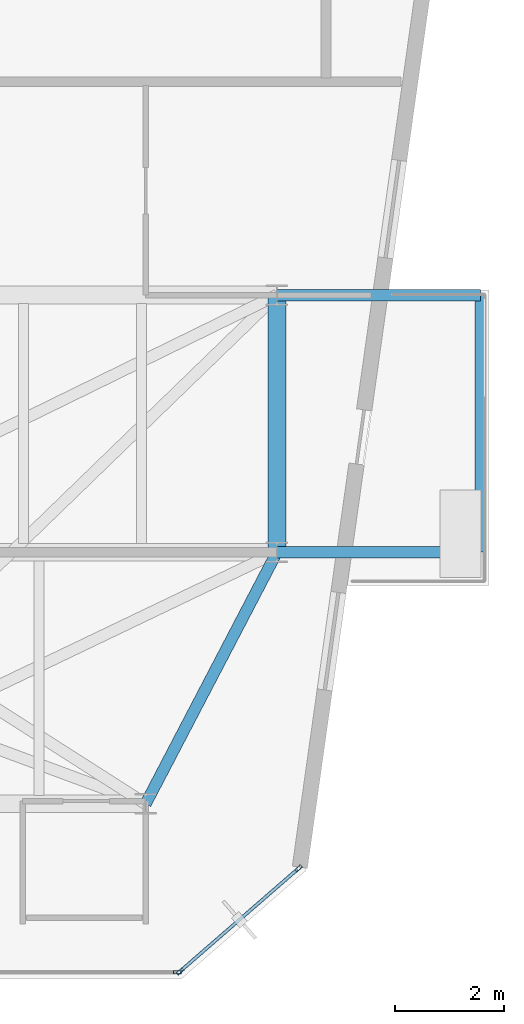
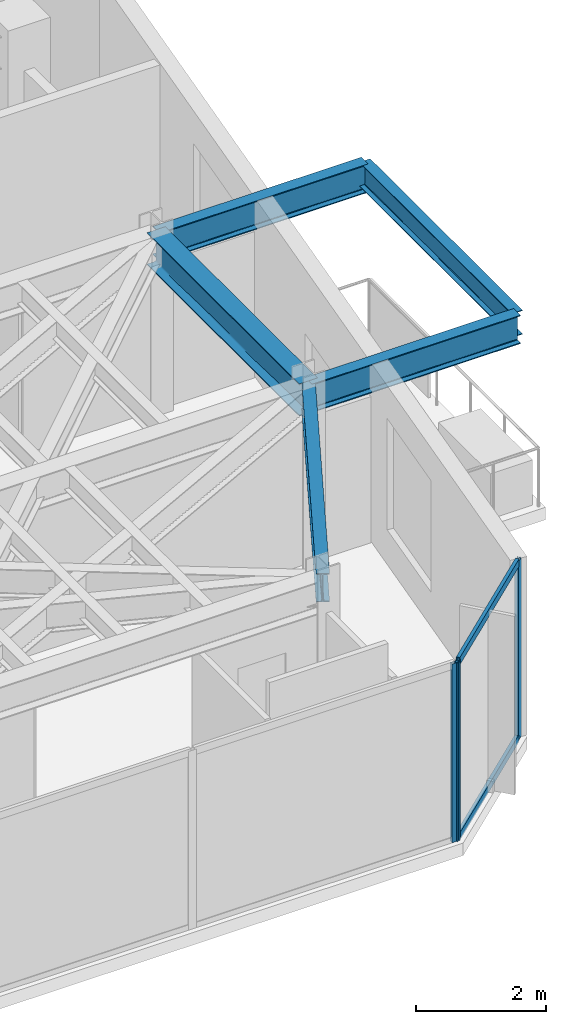
# One storey, part 12 of 17: 5 beams, 5 members, 2 elements without a shape of their own.
"""IFC4 building model written with IfcOpenShell, lengths in metres."""

from ifc_helpers import new_model, si_unit, direction, frame, origin, origin_2d, place, context, subcontext, project, spatial, hollow_rectangle, i_section, extrude, material, layer, layer_set, material_profile, profile_set, type_object, element, aggregate, save


model = new_model("IFC4")

# Units and contexts
model_context = context("Model", 3, precision=1e-05, world=origin(), true_north=direction((0.0, 1.0)))
body_context = subcontext(model_context, "Body", "Model", "MODEL_VIEW")
ifc_project = project(units=[si_unit("LENGTHUNIT", "METRE"), si_unit("AREAUNIT", "SQUARE_METRE"), si_unit("VOLUMEUNIT", "CUBIC_METRE"), si_unit("PLANEANGLEUNIT", "RADIAN"), si_unit("MASSUNIT", "GRAM", prefix="KILO")], contexts=[model_context])

# Site, building, storey
site_placement = place(None, origin())
site = spatial("IfcSite", under=ifc_project, at=site_placement, CompositionType="ELEMENT")
building_placement = place(site_placement, origin())
building = spatial("IfcBuilding", under=site, at=building_placement, Name="Kravanh Interchange Tower", CompositionType="ELEMENT")
storey_placement = place(building_placement, frame((0.0, 0.0, 289.5)))
storey = spatial("IfcBuildingStorey", under=building, at=storey_placement, Name="L71", CompositionType="ELEMENT", Elevation=289.5)

# Curtain wall, members
ifc_material_1 = material(Name="Anodised Bronze Aluminium", Category="aluminium")
ifc_layer = layer(ifc_material_1, 0.179931640625)
ifc_layer_set = layer_set([ifc_layer], Name="Unitised Curtain Wall System CW-HTL Luxury Hotel")
curtain_wall_type = type_object("IfcCurtainWallType", Name="Unitised Curtain Wall System CW-HTL Luxury Hotel", PredefinedType="NOTDEFINED", material=ifc_layer_set)
curtain_wall_1_placement = place(storey_placement, origin())
curtain_wall_1 = element("IfcCurtainWall", 1, at=curtain_wall_1_placement, inside=storey, type_object=curtain_wall_type, Name="L71 Unitised Curtain Wall CW-L71-02", PredefinedType="NOTDEFINED")
ifc_material_2 = material(Name="Anodised Bronze Aluminium", Category="aluminium")
ifc_material_profile_1 = material_profile(ifc_material_2, hollow_rectangle(XDim=0.06005859375, YDim=0.139892578125, WallThickness=0.00390625, at=origin_2d()), Name="ALU60X140X4")
ifc_profile_set_1 = profile_set([ifc_material_profile_1], Name="Anodised Bronze Aluminium")
member_type_1 = type_object("IfcMemberType", Name="Curtain Wall Mullion ALU60X140X4 Bronze", PredefinedType="MULLION", material=ifc_profile_set_1)
member_1_placement = place(storey_placement, frame((65.9970703125, 21.02197265625, 0.0), z_axis=(0.0, 0.0, 1.0), x_axis=(0.656033323139, -0.75473192521, 0.0)))
member_1 = element("IfcMember", 2, at=member_1_placement, type_object=member_type_1, Name="CW-HTL mullion 1", PredefinedType="MULLION", context=body_context, shape_type="SweptSolid", body=[
    extrude(hollow_rectangle(XDim=0.06005859375, YDim=0.139892578125, WallThickness=0.00390625, at=origin_2d()), origin(), (0.0, 0.0, 1.0), 3.364990234375),
])
member_2_placement = place(storey_placement, frame((63.831787109375, 19.1396484375, 0.0), z_axis=(0.0, 0.0, 1.0), x_axis=(0.656033323139, -0.75473192521, 0.0)))
member_2 = element("IfcMember", 3, at=member_2_placement, type_object=member_type_1, Name="CW-HTL mullion 2", PredefinedType="MULLION", context=body_context, shape_type="SweptSolid", body=[
    extrude(hollow_rectangle(XDim=0.06005859375, YDim=0.139892578125, WallThickness=0.00390625, at=origin_2d()), origin(), (0.0, 0.0, 1.0), 3.364990234375),
])

# Curtain wall, member
curtain_wall_2_placement = place(storey_placement, origin())
curtain_wall_2 = element("IfcCurtainWall", 4, at=curtain_wall_2_placement, inside=storey, type_object=curtain_wall_type, Name="L71 Unitised Curtain Wall CW-L71-03", PredefinedType="NOTDEFINED")
member_3_placement = place(storey_placement, frame((63.779052734375, 19.1201171875, 0.0), z_axis=(0.0, 0.0, 1.0), x_axis=(0.0, -1.0, 0.0)))
member_3 = element("IfcMember", 5, at=member_3_placement, type_object=member_type_1, Name="CW-HTL mullion 1", PredefinedType="MULLION", context=body_context, shape_type="SweptSolid", body=[
    extrude(hollow_rectangle(XDim=0.06005859375, YDim=0.139892578125, WallThickness=0.00390625, at=origin_2d()), origin(), (0.0, 0.0, 1.0), 3.364990234375),
])
aggregate(curtain_wall_2, [member_3])

# Member
ifc_material_3 = material(Name="Anodised Bronze Aluminium", Category="aluminium")
ifc_material_profile_2 = material_profile(ifc_material_3, hollow_rectangle(XDim=0.06005859375, YDim=0.139892578125, WallThickness=0.00390625, at=origin_2d()), Name="ALU60X140X4")
ifc_profile_set_2 = profile_set([ifc_material_profile_2], Name="Anodised Bronze Aluminium")
member_type_2 = type_object("IfcMemberType", Name="Curtain Wall Transom ALU60X140X4 Bronze", PredefinedType="USERDEFINED", material=ifc_profile_set_2)
member_4_placement = place(storey_placement, frame((65.974609375, 21.002197265625, 0.030029296875), z_axis=(-0.754747707805, -0.656015165651, 0.0), x_axis=(0.656015165651, -0.754747707805, 0.0)))
member_4 = element("IfcMember", 6, at=member_4_placement, type_object=member_type_2, Name="CW-HTL transom 1.1", ObjectType="TRANSOM", PredefinedType="USERDEFINED", context=body_context, shape_type="SweptSolid", body=[
    extrude(hollow_rectangle(XDim=0.06005859375, YDim=0.139892578125, WallThickness=0.00390625, at=origin_2d()), origin(), (0.0, 0.0, 1.0), 2.80908203125),
])

member_5_placement = place(storey_placement, frame((65.974609375, 21.002197265625, 3.3349609375), z_axis=(-0.754747707805, -0.656015165651, 0.0), x_axis=(0.656015165651, -0.754747707805, 0.0)))
member_5 = element("IfcMember", 7, at=member_5_placement, type_object=member_type_2, Name="CW-HTL transom 1.2", ObjectType="TRANSOM", PredefinedType="USERDEFINED", context=body_context, shape_type="SweptSolid", body=[
    extrude(hollow_rectangle(XDim=0.06005859375, YDim=0.139892578125, WallThickness=0.00390625, at=origin_2d()), origin(), (0.0, 0.0, 1.0), 2.80908203125),
])

aggregate(curtain_wall_1, [member_1, member_2, member_4, member_5])

# Beams
ifc_material_4 = material(Name="Structural Steel S355", Category="steel")
ifc_material_profile_3 = material_profile(ifc_material_4, i_section(OverallWidth=0.323974609375, OverallDepth=0.611083984375, WebThickness=0.0126953125, FlangeThickness=0.01904296875, FilletRadius=0.02197265625, at=origin_2d()), Name="W24X104")
ifc_profile_set_3 = profile_set([ifc_material_profile_3], Name="Structural Steel S355")
beam_type_1 = type_object("IfcBeamType", Name="Floor Beam W24X104 Structural Steel S355", PredefinedType="BEAM", material=ifc_profile_set_3)
beam_1_placement = place(storey_placement, frame((65.60009765625, 31.5, 3.0595703125), z_axis=(0.0, -1.0, 0.0), x_axis=(1.0, 0.0, 0.0)))
element("IfcBeam", 8, at=beam_1_placement, inside=storey, type_object=beam_type_1, Name="L71 Primary Floor Girder 13", PredefinedType="BEAM", context=body_context, shape_type="SweptSolid", body=[
    extrude(i_section(OverallWidth=0.323974609375, OverallDepth=0.611083984375, WebThickness=0.0126953125, FlangeThickness=0.01904296875, FilletRadius=0.02197265625, at=origin_2d()), origin(), (0.0, 0.0, 1.0), 4.699951171875),
])
ifc_material_5 = material(Name="Structural Steel S355", Category="steel")
ifc_material_profile_4 = material_profile(ifc_material_5, i_section(OverallWidth=0.18994140625, OverallDepth=0.45703125, WebThickness=0.009033203125, FlangeThickness=0.014404296875, FilletRadius=0.01806640625, at=origin_2d()), Name="W18X50")
ifc_profile_set_4 = profile_set([ifc_material_profile_4], Name="Structural Steel S355")
beam_type_2 = type_object("IfcBeamType", Name="Floor Joist W18X50 Structural Steel S355", PredefinedType="JOIST", material=ifc_profile_set_4)
beam_2_placement = place(storey_placement, frame((69.319091796875, 26.800048828125, 3.136474609375), z_axis=(0.0, 1.0, 0.0), x_axis=(-1.0, 0.0, 0.0)))
element("IfcBeam", 9, at=beam_2_placement, inside=storey, type_object=beam_type_2, Name="L71 Balcony Edge Tie Beam E", PredefinedType="JOIST", context=body_context, shape_type="SweptSolid", body=[
    extrude(i_section(OverallWidth=0.18994140625, OverallDepth=0.45703125, WebThickness=0.009033203125, FlangeThickness=0.014404296875, FilletRadius=0.01806640625, at=origin_2d()), origin(), (0.0, 0.0, 1.0), 4.699951171875),
])
ifc_material_6 = material(Name="Structural Steel S355", Category="steel")
ifc_material_profile_5 = material_profile(ifc_material_6, i_section(OverallWidth=0.2099609375, OverallDepth=0.537109375, WebThickness=0.010986328125, FlangeThickness=0.017333984375, FilletRadius=0.02001953125, at=origin_2d()), Name="W21X68")
ifc_profile_set_5 = profile_set([ifc_material_profile_5], Name="Structural Steel S355")
beam_type_3 = type_object("IfcBeamType", Name="Floor Spandrel W21X68 Structural Steel S355", PredefinedType="SPANDREL", material=ifc_profile_set_5)
beam_3_placement = place(storey_placement, frame((65.60009765625, 26.800048828125, 3.096435546875), z_axis=(-0.462580479178, -0.886577295155, 0.0), x_axis=(0.886577295155, -0.462580479178, 0.0)))
element("IfcBeam", 10, at=beam_3_placement, inside=storey, type_object=beam_type_3, Name="L71 Perimeter Spandrel 31", PredefinedType="SPANDREL", context=body_context, shape_type="SweptSolid", body=[
    extrude(i_section(OverallWidth=0.2099609375, OverallDepth=0.537109375, WebThickness=0.010986328125, FlangeThickness=0.017333984375, FilletRadius=0.02001953125, at=origin_2d()), origin(), (0.0, 0.0, 1.0), 5.188720703125),
])
for number, where, z_axis, x_axis, name in (
    (11, (65.60009765625, 26.800048828125, 3.096435546875), (1.0, 0.0, 0.0), (0.0, 1.0, 0.0), "L71 Balcony Cantilever Outrigger E1"),
    (12, (65.60009765625, 31.5, 3.096435546875), (1.0, 0.0, 0.0), (0.0, 1.0, 0.0), "L71 Balcony Cantilever Outrigger E2"),
):
    element("IfcBeam", number, at=place(storey_placement, frame(where, z_axis=z_axis, x_axis=x_axis)), inside=storey, type_object=beam_type_3, Name=name, PredefinedType="SPANDREL", context=body_context, shape_type="SweptSolid", body=[
        extrude(i_section(OverallWidth=0.2099609375, OverallDepth=0.537109375, WebThickness=0.010986328125, FlangeThickness=0.017333984375, FilletRadius=0.02001953125, at=origin_2d()), origin(), (0.0, 0.0, 1.0), 3.718994140625),
    ])

save(model, "model.ifc")
